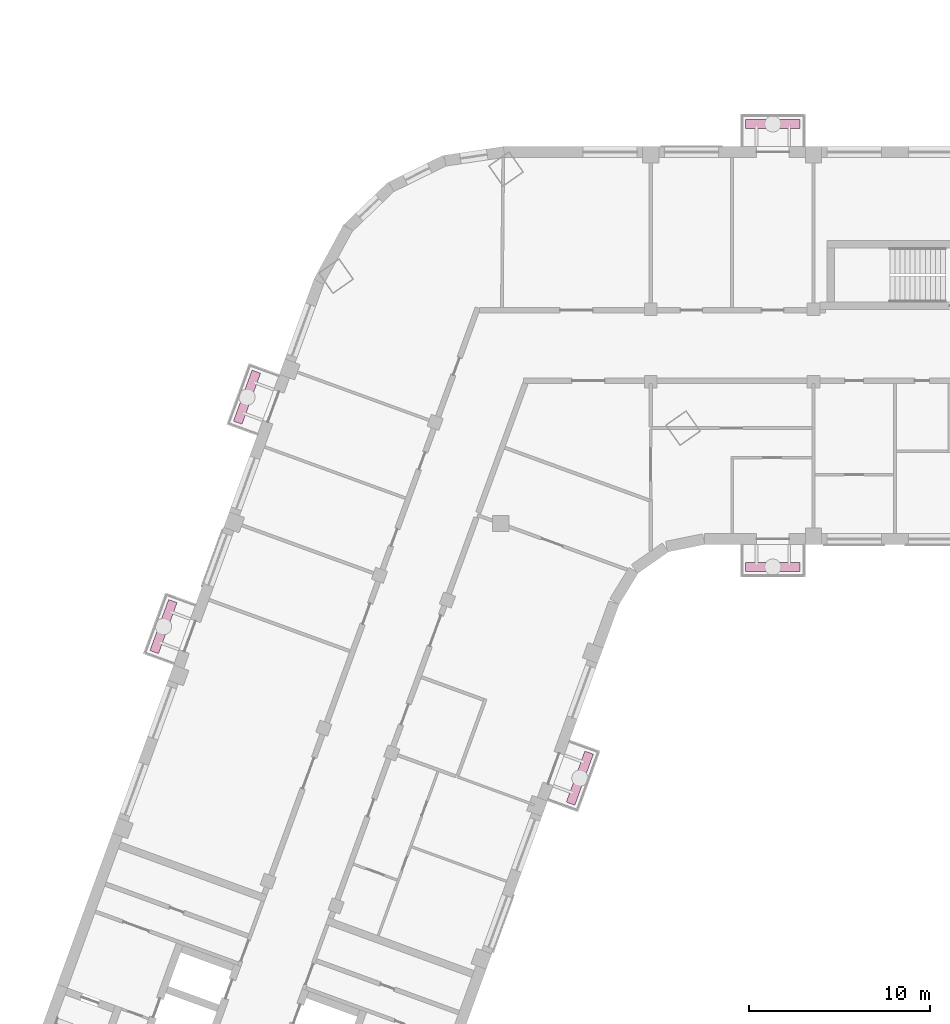
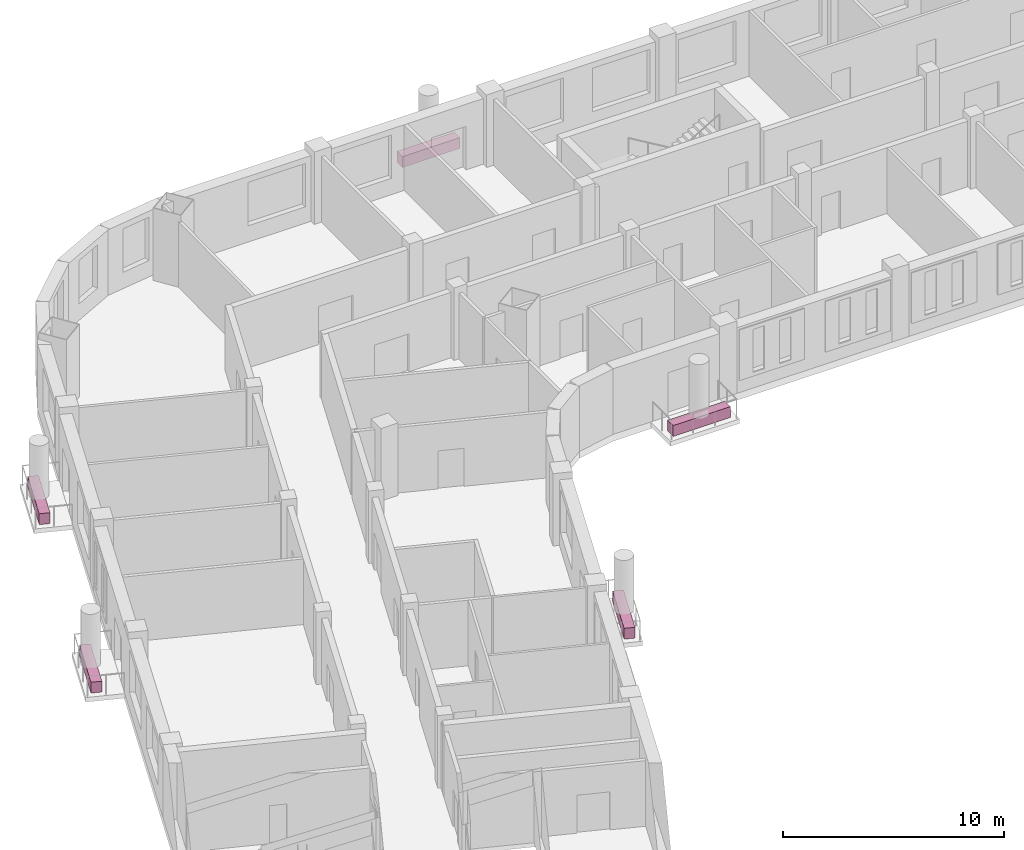
# One storey, part 15 of 16: 5 furniture elements.
"""IFC4 building model written with IfcOpenShell, lengths in metres."""

from ifc_helpers import new_model, si_unit, direction, frame, origin, origin_2d, place, context, subcontext, project, spatial, rectangle, extrude, element, save


model = new_model("IFC4")

# Units and contexts
model_context = context("Model", 3, precision=1e-05, world=origin(), true_north=direction((0.0, 1.0)))
body_context = subcontext(model_context, "Body", "Model", "MODEL_VIEW")
ifc_project = project(units=[si_unit("LENGTHUNIT", "METRE"), si_unit("AREAUNIT", "SQUARE_METRE"), si_unit("VOLUMEUNIT", "CUBIC_METRE"), si_unit("PLANEANGLEUNIT", "RADIAN"), si_unit("MASSUNIT", "GRAM", prefix="KILO")], contexts=[model_context])

# Site, building, storey
site_placement = place(None, origin())
site = spatial("IfcSite", under=ifc_project, at=site_placement, CompositionType="ELEMENT")
building_placement = place(site_placement, origin())
building = spatial("IfcBuilding", under=site, at=building_placement, Name="Skarvind Civic Tower", CompositionType="ELEMENT")
storey_placement = place(building_placement, frame((0.0, 0.0, 67.5)))
storey = spatial("IfcBuildingStorey", under=building, at=storey_placement, Name="L15", CompositionType="ELEMENT", Elevation=67.5)

# Furniture
for number, where, z_axis, x_axis, name in (
    (1, (50.328857421875, 104.07666015625, 0.0), (0.0, 0.0, 1.0), (-0.342020143326, -0.939692620786, 0.0), "TREE BALCONY PLANTER"),
    (2, (61.0, 115.75, 0.0), (0.0, 0.0, 1.0), (-1.0, 0.0, 0.0), "TREE BALCONY PLANTER"),
    (3, (61.0, 140.25, 0.0), (0.0, 0.0, 1.0), (1.0, 0.0, 0.0), "TREE BALCONY PLANTER"),
    (4, (27.306396484375, 112.456298828125, 0.0), (0.0, 0.0, 1.0), (0.342020143326, 0.939692620786, 0.0), "TREE BALCONY PLANTER"),
    (5, (31.923583984375, 125.14208984375, 0.0), (0.0, 0.0, 1.0), (0.342020143326, 0.939692620786, 0.0), "TREE BALCONY PLANTER"),
):
    element("IfcFurniture", number, at=place(storey_placement, frame(where, z_axis=z_axis, x_axis=x_axis)), inside=storey, Name=name, ObjectType="PLANTER", PredefinedType="USERDEFINED", context=body_context, shape_type="SweptSolid", body=[
        extrude(rectangle(XDim=3.0, YDim=0.5, at=origin_2d()), origin(), (0.0, 0.0, 1.0), 0.60009765625),
    ])

save(model, "model.ifc")
